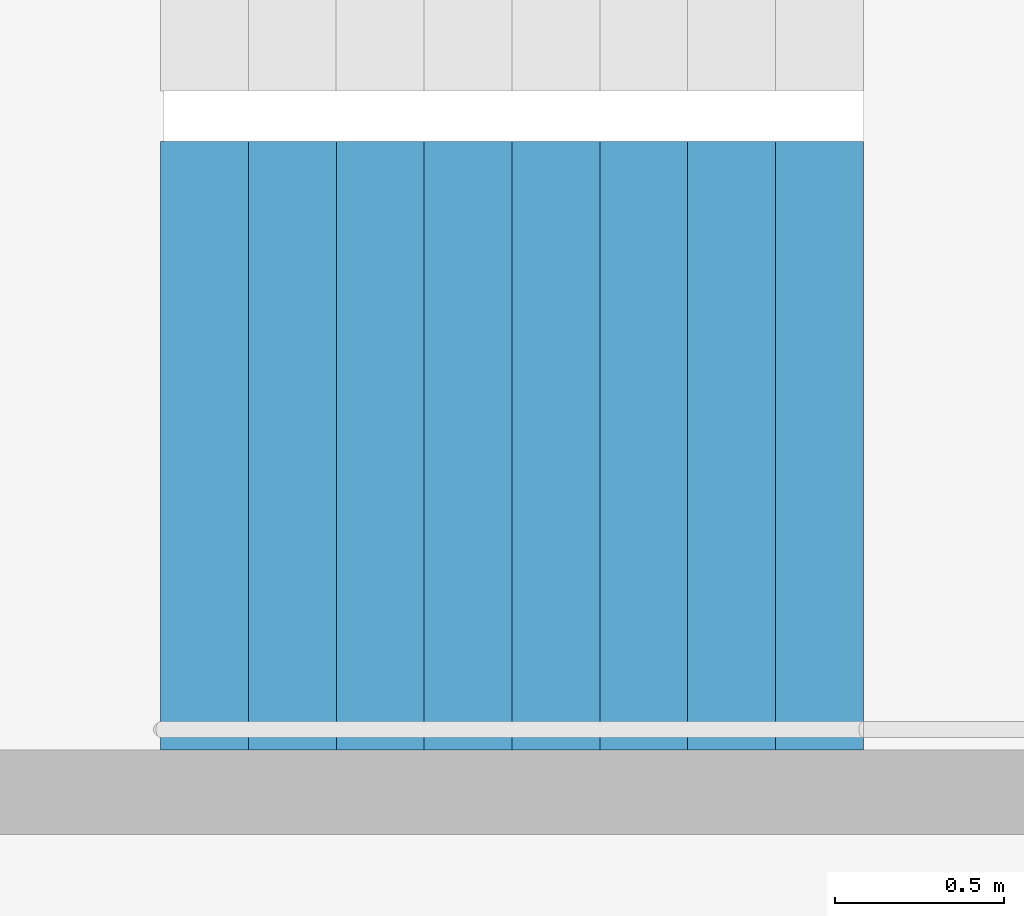
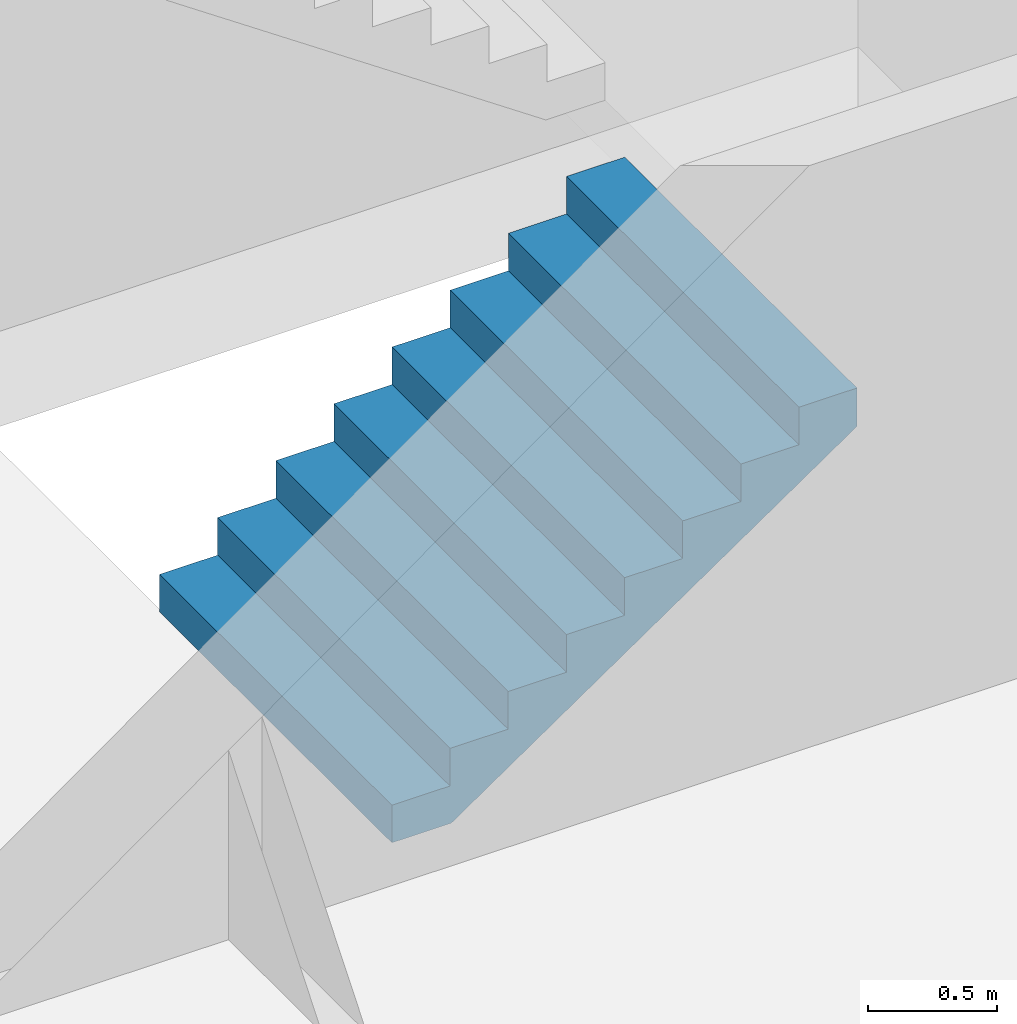
# One storey, part 20 of 26: 1 stair flight, 1 element without a shape of its own.
"""IFC4 building model written with IfcOpenShell, lengths in metres."""

from ifc_helpers import new_model, si_unit, direction, frame, origin, place, context, subcontext, project, spatial, triangles, material, type_object, element, aggregate, save


model = new_model("IFC4")

# Units and contexts
model_context = context("Model", 3, precision=1e-05, world=origin(), true_north=direction((0.0, 1.0)))
body_context = subcontext(model_context, "Body", "Model", "MODEL_VIEW")
ifc_project = project(units=[si_unit("LENGTHUNIT", "METRE"), si_unit("AREAUNIT", "SQUARE_METRE"), si_unit("VOLUMEUNIT", "CUBIC_METRE"), si_unit("PLANEANGLEUNIT", "RADIAN"), si_unit("MASSUNIT", "GRAM", prefix="KILO")], contexts=[model_context])

# Site, building, storey
site_placement = place(None, origin())
site = spatial("IfcSite", under=ifc_project, at=site_placement, CompositionType="ELEMENT")
building_placement = place(site_placement, origin())
building = spatial("IfcBuilding", under=site, at=building_placement, Name="Hakoniwa Tower and Hamabe Station Hall", CompositionType="ELEMENT")
storey_placement = place(building_placement, frame((0.0, 0.0, 143.800048828125)))
storey = spatial("IfcBuildingStorey", under=building, at=storey_placement, Name="L40", CompositionType="ELEMENT", Elevation=143.800048828125)

# Stair, stair flight
ifc_material_1 = material(Name="Concrete C40", Category="concrete")
stair_type = type_object("IfcStairType", Name="ESCAPE STAIR 1800", PredefinedType="HALF_TURN_STAIR", material=ifc_material_1)
stair_placement = place(storey_placement, origin())
stair = element("IfcStair", 1, at=stair_placement, inside=storey, type_object=stair_type, Name="Escape stair ST-1 L40", PredefinedType="HALF_TURN_STAIR")
ifc_material_2 = material(Name="Concrete C40", Category="concrete")
stair_flight_type = type_object("IfcStairFlightType", Name="STAIR FLIGHT 1800", PredefinedType="STRAIGHT", material=ifc_material_2)
stair_flight_placement = place(storey_placement, frame((-24.39990234375, 4.64990234375, 0.0), z_axis=(0.0, 0.0, 1.0), x_axis=(1.0, 0.0, 0.0)))
stair_flight = element("IfcStairFlight", 2, at=stair_flight_placement, type_object=stair_flight_type, Name="ST-1 flight 1", NumberOfRisers=9, NumberOfTreads=8, PredefinedType="STRAIGHT", RiserHeight=0.177777778, TreadLength=0.26, context=body_context, shape_type="Tessellation", body=[
    triangles([(0.0, 0.89990234375, 0.0), (0.260009765625, 0.89990234375, 0.0), (0.265625, 0.89990234375, 0.0), (0.52001953125, 0.89990234375, 0.174072265625), (0.780029296875, 0.89990234375, 0.351806640625), (1.0400390625, 0.89990234375, 0.529541015625), (1.300048828125, 0.89990234375, 0.707275390625), (1.56005859375, 0.89990234375, 0.885009765625), (1.820068359375, 0.89990234375, 1.062744140625), (2.080078125, 0.89990234375, 1.24072265625), (2.080078125, 0.89990234375, 1.422119140625), (1.820068359375, 0.89990234375, 1.422119140625), (1.820068359375, 0.89990234375, 1.244384765625), (1.56005859375, 0.89990234375, 1.244384765625), (1.56005859375, 0.89990234375, 1.066650390625), (1.300048828125, 0.89990234375, 1.066650390625), (1.300048828125, 0.89990234375, 0.888916015625), (1.0400390625, 0.89990234375, 0.888916015625), (1.0400390625, 0.89990234375, 0.711181640625), (0.780029296875, 0.89990234375, 0.711181640625), (0.780029296875, 0.89990234375, 0.533447265625), (0.52001953125, 0.89990234375, 0.533447265625), (0.52001953125, 0.89990234375, 0.35546875), (0.265625, 0.89990234375, 0.35546875), (0.260009765625, 0.89990234375, 0.35546875), (0.260009765625, 0.89990234375, 0.177734375), (0.0, 0.89990234375, 0.177734375), (0.0, 0.06005859375, 0.0), (0.260009765625, 0.06005859375, 0.0), (0.265625, 0.06005859375, 0.0), (0.52001953125, 0.06005859375, 0.174072265625), (0.780029296875, 0.06005859375, 0.351806640625), (1.0400390625, 0.06005859375, 0.529541015625), (1.300048828125, 0.06005859375, 0.707275390625), (1.56005859375, 0.06005859375, 0.885009765625), (1.820068359375, 0.06005859375, 1.062744140625), (2.080078125, 0.06005859375, 1.24072265625), (2.080078125, 0.06005859375, 1.422119140625), (1.820068359375, 0.06005859375, 1.422119140625), (1.820068359375, 0.06005859375, 1.244384765625), (1.56005859375, 0.06005859375, 1.244384765625), (1.56005859375, 0.06005859375, 1.066650390625), (1.300048828125, 0.06005859375, 1.066650390625), (1.300048828125, 0.06005859375, 0.888916015625), (1.0400390625, 0.06005859375, 0.888916015625), (1.0400390625, 0.06005859375, 0.711181640625), (0.780029296875, 0.06005859375, 0.711181640625), (0.780029296875, 0.06005859375, 0.533447265625), (0.52001953125, 0.06005859375, 0.533447265625), (0.52001953125, 0.06005859375, 0.35546875), (0.265625, 0.06005859375, 0.35546875), (0.260009765625, 0.06005859375, 0.35546875), (0.260009765625, 0.06005859375, 0.177734375), (0.0, 0.06005859375, 0.177734375), (0.0, 0.04296875, 0.0), (0.260009765625, 0.04296875, 0.0), (0.265625, 0.04296875, 0.0), (0.52001953125, 0.04296875, 0.174072265625), (0.780029296875, 0.04296875, 0.351806640625), (1.0400390625, 0.04296875, 0.529541015625), (1.300048828125, 0.04296875, 0.707275390625), (1.56005859375, 0.04296875, 0.885009765625), (1.820068359375, 0.04296875, 1.062744140625), (2.080078125, 0.04296875, 1.24072265625), (2.080078125, 0.04296875, 1.422119140625), (1.820068359375, 0.04296875, 1.422119140625), (1.820068359375, 0.04296875, 1.244384765625), (1.56005859375, 0.04296875, 1.244384765625), (1.56005859375, 0.04296875, 1.066650390625), (1.300048828125, 0.04296875, 1.066650390625), (1.300048828125, 0.04296875, 0.888916015625), (1.0400390625, 0.04296875, 0.888916015625), (1.0400390625, 0.04296875, 0.711181640625), (0.780029296875, 0.04296875, 0.711181640625), (0.780029296875, 0.04296875, 0.533447265625), (0.52001953125, 0.04296875, 0.533447265625), (0.52001953125, 0.04296875, 0.35546875), (0.265625, 0.04296875, 0.35546875), (0.260009765625, 0.04296875, 0.35546875), (0.260009765625, 0.04296875, 0.177734375), (0.0, 0.04296875, 0.177734375), (0.0, 0.025634765625, 0.0), (0.260009765625, 0.025634765625, 0.0), (0.265625, 0.025634765625, 0.0), (0.52001953125, 0.025634765625, 0.174072265625), (0.780029296875, 0.025634765625, 0.351806640625), (1.0400390625, 0.025634765625, 0.529541015625), (1.300048828125, 0.025634765625, 0.707275390625), (1.56005859375, 0.025634765625, 0.885009765625), (1.820068359375, 0.025634765625, 1.062744140625), (2.080078125, 0.025634765625, 1.24072265625), (2.080078125, 0.025634765625, 1.422119140625), (1.820068359375, 0.025634765625, 1.422119140625), (1.820068359375, 0.025634765625, 1.244384765625), (1.56005859375, 0.025634765625, 1.244384765625), (1.56005859375, 0.025634765625, 1.066650390625), (1.300048828125, 0.025634765625, 1.066650390625), (1.300048828125, 0.025634765625, 0.888916015625), (1.0400390625, 0.025634765625, 0.888916015625), (1.0400390625, 0.025634765625, 0.711181640625), (0.780029296875, 0.025634765625, 0.711181640625), (0.780029296875, 0.025634765625, 0.533447265625), (0.52001953125, 0.025634765625, 0.533447265625), (0.52001953125, 0.025634765625, 0.35546875), (0.265625, 0.025634765625, 0.35546875), (0.260009765625, 0.025634765625, 0.35546875), (0.260009765625, 0.025634765625, 0.177734375), (0.0, 0.025634765625, 0.177734375), (0.0, 0.008544921875, 0.0), (0.260009765625, 0.008544921875, 0.0), (0.265625, 0.008544921875, 0.0), (0.52001953125, 0.008544921875, 0.174072265625), (0.780029296875, 0.008544921875, 0.351806640625), (1.0400390625, 0.008544921875, 0.529541015625), (1.300048828125, 0.008544921875, 0.707275390625), (1.56005859375, 0.008544921875, 0.885009765625), (1.820068359375, 0.008544921875, 1.062744140625), (2.080078125, 0.008544921875, 1.24072265625), (2.080078125, 0.008544921875, 1.422119140625), (1.820068359375, 0.008544921875, 1.422119140625), (1.820068359375, 0.008544921875, 1.244384765625), (1.56005859375, 0.008544921875, 1.244384765625), (1.56005859375, 0.008544921875, 1.066650390625), (1.300048828125, 0.008544921875, 1.066650390625), (1.300048828125, 0.008544921875, 0.888916015625), (1.0400390625, 0.008544921875, 0.888916015625), (1.0400390625, 0.008544921875, 0.711181640625), (0.780029296875, 0.008544921875, 0.711181640625), (0.780029296875, 0.008544921875, 0.533447265625), (0.52001953125, 0.008544921875, 0.533447265625), (0.52001953125, 0.008544921875, 0.35546875), (0.265625, 0.008544921875, 0.35546875), (0.260009765625, 0.008544921875, 0.35546875), (0.260009765625, 0.008544921875, 0.177734375), (0.0, 0.008544921875, 0.177734375), (0.0, -0.008544921875, 0.0), (0.260009765625, -0.008544921875, 0.0), (0.265625, -0.008544921875, 0.0), (0.52001953125, -0.008544921875, 0.174072265625), (0.780029296875, -0.008544921875, 0.351806640625), (1.0400390625, -0.008544921875, 0.529541015625), (1.300048828125, -0.008544921875, 0.707275390625), (1.56005859375, -0.008544921875, 0.885009765625), (1.820068359375, -0.008544921875, 1.062744140625), (2.080078125, -0.008544921875, 1.24072265625), (2.080078125, -0.008544921875, 1.422119140625), (1.820068359375, -0.008544921875, 1.422119140625), (1.820068359375, -0.008544921875, 1.244384765625), (1.56005859375, -0.008544921875, 1.244384765625), (1.56005859375, -0.008544921875, 1.066650390625), (1.300048828125, -0.008544921875, 1.066650390625), (1.300048828125, -0.008544921875, 0.888916015625), (1.0400390625, -0.008544921875, 0.888916015625), (1.0400390625, -0.008544921875, 0.711181640625), (0.780029296875, -0.008544921875, 0.711181640625), (0.780029296875, -0.008544921875, 0.533447265625), (0.52001953125, -0.008544921875, 0.533447265625), (0.52001953125, -0.008544921875, 0.35546875), (0.265625, -0.008544921875, 0.35546875), (0.260009765625, -0.008544921875, 0.35546875), (0.260009765625, -0.008544921875, 0.177734375), (0.0, -0.008544921875, 0.177734375), (0.0, -0.025634765625, 0.0), (0.260009765625, -0.025634765625, 0.0), (0.265625, -0.025634765625, 0.0), (0.52001953125, -0.025634765625, 0.174072265625), (0.780029296875, -0.025634765625, 0.351806640625), (1.0400390625, -0.025634765625, 0.529541015625), (1.300048828125, -0.025634765625, 0.707275390625), (1.56005859375, -0.025634765625, 0.885009765625), (1.820068359375, -0.025634765625, 1.062744140625), (2.080078125, -0.025634765625, 1.24072265625), (2.080078125, -0.025634765625, 1.422119140625), (1.820068359375, -0.025634765625, 1.422119140625), (1.820068359375, -0.025634765625, 1.244384765625), (1.56005859375, -0.025634765625, 1.244384765625), (1.56005859375, -0.025634765625, 1.066650390625), (1.300048828125, -0.025634765625, 1.066650390625), (1.300048828125, -0.025634765625, 0.888916015625), (1.0400390625, -0.025634765625, 0.888916015625), (1.0400390625, -0.025634765625, 0.711181640625), (0.780029296875, -0.025634765625, 0.711181640625), (0.780029296875, -0.025634765625, 0.533447265625), (0.52001953125, -0.025634765625, 0.533447265625), (0.52001953125, -0.025634765625, 0.35546875), (0.265625, -0.025634765625, 0.35546875), (0.260009765625, -0.025634765625, 0.35546875), (0.260009765625, -0.025634765625, 0.177734375), (0.0, -0.025634765625, 0.177734375), (0.0, -0.04296875, 0.0), (0.260009765625, -0.04296875, 0.0), (0.265625, -0.04296875, 0.0), (0.52001953125, -0.04296875, 0.174072265625), (0.780029296875, -0.04296875, 0.351806640625), (1.0400390625, -0.04296875, 0.529541015625), (1.300048828125, -0.04296875, 0.707275390625), (1.56005859375, -0.04296875, 0.885009765625), (1.820068359375, -0.04296875, 1.062744140625), (2.080078125, -0.04296875, 1.24072265625), (2.080078125, -0.04296875, 1.422119140625), (1.820068359375, -0.04296875, 1.422119140625), (1.820068359375, -0.04296875, 1.244384765625), (1.56005859375, -0.04296875, 1.244384765625), (1.56005859375, -0.04296875, 1.066650390625), (1.300048828125, -0.04296875, 1.066650390625), (1.300048828125, -0.04296875, 0.888916015625), (1.0400390625, -0.04296875, 0.888916015625), (1.0400390625, -0.04296875, 0.711181640625), (0.780029296875, -0.04296875, 0.711181640625), (0.780029296875, -0.04296875, 0.533447265625), (0.52001953125, -0.04296875, 0.533447265625), (0.52001953125, -0.04296875, 0.35546875), (0.265625, -0.04296875, 0.35546875), (0.260009765625, -0.04296875, 0.35546875), (0.260009765625, -0.04296875, 0.177734375), (0.0, -0.04296875, 0.177734375), (0.0, -0.06005859375, 0.0), (0.260009765625, -0.06005859375, 0.0), (0.265625, -0.06005859375, 0.0), (0.52001953125, -0.06005859375, 0.174072265625), (0.780029296875, -0.06005859375, 0.351806640625), (1.0400390625, -0.06005859375, 0.529541015625), (1.300048828125, -0.06005859375, 0.707275390625), (1.56005859375, -0.06005859375, 0.885009765625), (1.820068359375, -0.06005859375, 1.062744140625), (2.080078125, -0.06005859375, 1.24072265625), (2.080078125, -0.06005859375, 1.422119140625), (1.820068359375, -0.06005859375, 1.422119140625), (1.820068359375, -0.06005859375, 1.244384765625), (1.56005859375, -0.06005859375, 1.244384765625), (1.56005859375, -0.06005859375, 1.066650390625), (1.300048828125, -0.06005859375, 1.066650390625), (1.300048828125, -0.06005859375, 0.888916015625), (1.0400390625, -0.06005859375, 0.888916015625), (1.0400390625, -0.06005859375, 0.711181640625), (0.780029296875, -0.06005859375, 0.711181640625), (0.780029296875, -0.06005859375, 0.533447265625), (0.52001953125, -0.06005859375, 0.533447265625), (0.52001953125, -0.06005859375, 0.35546875), (0.265625, -0.06005859375, 0.35546875), (0.260009765625, -0.06005859375, 0.35546875), (0.260009765625, -0.06005859375, 0.177734375), (0.0, -0.06005859375, 0.177734375), (0.0, -0.89990234375, 0.0), (0.260009765625, -0.89990234375, 0.0), (0.265625, -0.89990234375, 0.0), (0.52001953125, -0.89990234375, 0.174072265625), (0.780029296875, -0.89990234375, 0.351806640625), (1.0400390625, -0.89990234375, 0.529541015625), (1.300048828125, -0.89990234375, 0.707275390625), (1.56005859375, -0.89990234375, 0.885009765625), (1.820068359375, -0.89990234375, 1.062744140625), (2.080078125, -0.89990234375, 1.24072265625), (2.080078125, -0.89990234375, 1.422119140625), (1.820068359375, -0.89990234375, 1.422119140625), (1.820068359375, -0.89990234375, 1.244384765625), (1.56005859375, -0.89990234375, 1.244384765625), (1.56005859375, -0.89990234375, 1.066650390625), (1.300048828125, -0.89990234375, 1.066650390625), (1.300048828125, -0.89990234375, 0.888916015625), (1.0400390625, -0.89990234375, 0.888916015625), (1.0400390625, -0.89990234375, 0.711181640625), (0.780029296875, -0.89990234375, 0.711181640625), (0.780029296875, -0.89990234375, 0.533447265625), (0.52001953125, -0.89990234375, 0.533447265625), (0.52001953125, -0.89990234375, 0.35546875), (0.265625, -0.89990234375, 0.35546875), (0.260009765625, -0.89990234375, 0.35546875), (0.260009765625, -0.89990234375, 0.177734375), (0.0, -0.89990234375, 0.177734375)], [[2, 27, 26], [245, 269, 270], [2, 1, 27], [245, 270, 244], [3, 25, 24], [246, 267, 268], [3, 26, 25], [246, 268, 269], [3, 2, 26], [246, 269, 245], [4, 24, 23], [247, 266, 267], [4, 3, 24], [247, 267, 246], [5, 22, 21], [248, 264, 265], [5, 23, 22], [248, 265, 266], [5, 4, 23], [248, 266, 247], [6, 20, 19], [249, 262, 263], [6, 21, 20], [249, 263, 264], [6, 5, 21], [249, 264, 248], [7, 18, 17], [250, 260, 261], [7, 19, 18], [250, 261, 262], [7, 6, 19], [250, 262, 249], [8, 16, 15], [251, 258, 259], [8, 17, 16], [251, 259, 260], [8, 7, 17], [251, 260, 250], [9, 14, 13], [252, 256, 257], [9, 15, 14], [252, 257, 258], [9, 8, 15], [252, 258, 251], [10, 12, 11], [253, 254, 255], [10, 13, 12], [253, 255, 256], [10, 9, 13], [253, 256, 252], [1, 2, 29], [1, 29, 28], [28, 29, 56], [28, 56, 55], [55, 56, 83], [55, 83, 82], [82, 83, 110], [82, 110, 109], [109, 110, 137], [109, 137, 136], [136, 137, 164], [136, 164, 163], [163, 164, 191], [163, 191, 190], [190, 191, 218], [190, 218, 217], [217, 218, 245], [217, 245, 244], [2, 3, 30], [2, 30, 29], [29, 30, 57], [29, 57, 56], [56, 57, 84], [56, 84, 83], [83, 84, 111], [83, 111, 110], [110, 111, 138], [110, 138, 137], [137, 138, 165], [137, 165, 164], [164, 165, 192], [164, 192, 191], [191, 192, 219], [191, 219, 218], [218, 219, 246], [218, 246, 245], [3, 4, 31], [3, 31, 30], [30, 31, 58], [30, 58, 57], [57, 58, 85], [57, 85, 84], [84, 85, 112], [84, 112, 111], [111, 112, 139], [111, 139, 138], [138, 139, 166], [138, 166, 165], [165, 166, 193], [165, 193, 192], [192, 193, 220], [192, 220, 219], [219, 220, 247], [219, 247, 246], [4, 5, 32], [4, 32, 31], [31, 32, 59], [31, 59, 58], [58, 59, 86], [58, 86, 85], [85, 86, 113], [85, 113, 112], [112, 113, 140], [112, 140, 139], [139, 140, 167], [139, 167, 166], [166, 167, 194], [166, 194, 193], [193, 194, 221], [193, 221, 220], [220, 221, 248], [220, 248, 247], [5, 6, 33], [5, 33, 32], [32, 33, 60], [32, 60, 59], [59, 60, 87], [59, 87, 86], [86, 87, 114], [86, 114, 113], [113, 114, 141], [113, 141, 140], [140, 141, 168], [140, 168, 167], [167, 168, 195], [167, 195, 194], [194, 195, 222], [194, 222, 221], [221, 222, 249], [221, 249, 248], [6, 7, 34], [6, 34, 33], [33, 34, 61], [33, 61, 60], [60, 61, 88], [60, 88, 87], [87, 88, 115], [87, 115, 114], [114, 115, 142], [114, 142, 141], [141, 142, 169], [141, 169, 168], [168, 169, 196], [168, 196, 195], [195, 196, 223], [195, 223, 222], [222, 223, 250], [222, 250, 249], [7, 8, 35], [7, 35, 34], [34, 35, 62], [34, 62, 61], [61, 62, 89], [61, 89, 88], [88, 89, 116], [88, 116, 115], [115, 116, 143], [115, 143, 142], [142, 143, 170], [142, 170, 169], [169, 170, 197], [169, 197, 196], [196, 197, 224], [196, 224, 223], [223, 224, 251], [223, 251, 250], [8, 9, 36], [8, 36, 35], [35, 36, 63], [35, 63, 62], [62, 63, 90], [62, 90, 89], [89, 90, 117], [89, 117, 116], [116, 117, 144], [116, 144, 143], [143, 144, 171], [143, 171, 170], [170, 171, 198], [170, 198, 197], [197, 198, 225], [197, 225, 224], [224, 225, 252], [224, 252, 251], [9, 10, 37], [9, 37, 36], [36, 37, 64], [36, 64, 63], [63, 64, 91], [63, 91, 90], [90, 91, 118], [90, 118, 117], [117, 118, 145], [117, 145, 144], [144, 145, 172], [144, 172, 171], [171, 172, 199], [171, 199, 198], [198, 199, 226], [198, 226, 225], [225, 226, 253], [225, 253, 252], [10, 11, 38], [10, 38, 37], [37, 38, 65], [37, 65, 64], [64, 65, 92], [64, 92, 91], [91, 92, 119], [91, 119, 118], [118, 119, 146], [118, 146, 145], [145, 146, 173], [145, 173, 172], [172, 173, 200], [172, 200, 199], [199, 200, 227], [199, 227, 226], [226, 227, 254], [226, 254, 253], [11, 12, 39], [11, 39, 38], [38, 39, 66], [38, 66, 65], [65, 66, 93], [65, 93, 92], [92, 93, 120], [92, 120, 119], [119, 120, 147], [119, 147, 146], [146, 147, 174], [146, 174, 173], [173, 174, 201], [173, 201, 200], [200, 201, 228], [200, 228, 227], [227, 228, 255], [227, 255, 254], [12, 13, 40], [12, 40, 39], [39, 40, 67], [39, 67, 66], [66, 67, 94], [66, 94, 93], [93, 94, 121], [93, 121, 120], [120, 121, 148], [120, 148, 147], [147, 148, 175], [147, 175, 174], [174, 175, 202], [174, 202, 201], [201, 202, 229], [201, 229, 228], [228, 229, 256], [228, 256, 255], [13, 14, 41], [13, 41, 40], [40, 41, 68], [40, 68, 67], [67, 68, 95], [67, 95, 94], [94, 95, 122], [94, 122, 121], [121, 122, 149], [121, 149, 148], [148, 149, 176], [148, 176, 175], [175, 176, 203], [175, 203, 202], [202, 203, 230], [202, 230, 229], [229, 230, 257], [229, 257, 256], [14, 15, 42], [14, 42, 41], [41, 42, 69], [41, 69, 68], [68, 69, 96], [68, 96, 95], [95, 96, 123], [95, 123, 122], [122, 123, 150], [122, 150, 149], [149, 150, 177], [149, 177, 176], [176, 177, 204], [176, 204, 203], [203, 204, 231], [203, 231, 230], [230, 231, 258], [230, 258, 257], [15, 16, 43], [15, 43, 42], [42, 43, 70], [42, 70, 69], [69, 70, 97], [69, 97, 96], [96, 97, 124], [96, 124, 123], [123, 124, 151], [123, 151, 150], [150, 151, 178], [150, 178, 177], [177, 178, 205], [177, 205, 204], [204, 205, 232], [204, 232, 231], [231, 232, 259], [231, 259, 258], [16, 17, 44], [16, 44, 43], [43, 44, 71], [43, 71, 70], [70, 71, 98], [70, 98, 97], [97, 98, 125], [97, 125, 124], [124, 125, 152], [124, 152, 151], [151, 152, 179], [151, 179, 178], [178, 179, 206], [178, 206, 205], [205, 206, 233], [205, 233, 232], [232, 233, 260], [232, 260, 259], [17, 18, 45], [17, 45, 44], [44, 45, 72], [44, 72, 71], [71, 72, 99], [71, 99, 98], [98, 99, 126], [98, 126, 125], [125, 126, 153], [125, 153, 152], [152, 153, 180], [152, 180, 179], [179, 180, 207], [179, 207, 206], [206, 207, 234], [206, 234, 233], [233, 234, 261], [233, 261, 260], [18, 19, 46], [18, 46, 45], [45, 46, 73], [45, 73, 72], [72, 73, 100], [72, 100, 99], [99, 100, 127], [99, 127, 126], [126, 127, 154], [126, 154, 153], [153, 154, 181], [153, 181, 180], [180, 181, 208], [180, 208, 207], [207, 208, 235], [207, 235, 234], [234, 235, 262], [234, 262, 261], [19, 20, 47], [19, 47, 46], [46, 47, 74], [46, 74, 73], [73, 74, 101], [73, 101, 100], [100, 101, 128], [100, 128, 127], [127, 128, 155], [127, 155, 154], [154, 155, 182], [154, 182, 181], [181, 182, 209], [181, 209, 208], [208, 209, 236], [208, 236, 235], [235, 236, 263], [235, 263, 262], [20, 21, 48], [20, 48, 47], [47, 48, 75], [47, 75, 74], [74, 75, 102], [74, 102, 101], [101, 102, 129], [101, 129, 128], [128, 129, 156], [128, 156, 155], [155, 156, 183], [155, 183, 182], [182, 183, 210], [182, 210, 209], [209, 210, 237], [209, 237, 236], [236, 237, 264], [236, 264, 263], [21, 22, 49], [21, 49, 48], [48, 49, 76], [48, 76, 75], [75, 76, 103], [75, 103, 102], [102, 103, 130], [102, 130, 129], [129, 130, 157], [129, 157, 156], [156, 157, 184], [156, 184, 183], [183, 184, 211], [183, 211, 210], [210, 211, 238], [210, 238, 237], [237, 238, 265], [237, 265, 264], [22, 23, 50], [22, 50, 49], [49, 50, 77], [49, 77, 76], [76, 77, 104], [76, 104, 103], [103, 104, 131], [103, 131, 130], [130, 131, 158], [130, 158, 157], [157, 158, 185], [157, 185, 184], [184, 185, 212], [184, 212, 211], [211, 212, 239], [211, 239, 238], [238, 239, 266], [238, 266, 265], [23, 24, 51], [23, 51, 50], [50, 51, 78], [50, 78, 77], [77, 78, 105], [77, 105, 104], [104, 105, 132], [104, 132, 131], [131, 132, 159], [131, 159, 158], [158, 159, 186], [158, 186, 185], [185, 186, 213], [185, 213, 212], [212, 213, 240], [212, 240, 239], [239, 240, 267], [239, 267, 266], [24, 25, 52], [24, 52, 51], [51, 52, 79], [51, 79, 78], [78, 79, 106], [78, 106, 105], [105, 106, 133], [105, 133, 132], [132, 133, 160], [132, 160, 159], [159, 160, 187], [159, 187, 186], [186, 187, 214], [186, 214, 213], [213, 214, 241], [213, 241, 240], [240, 241, 268], [240, 268, 267], [25, 26, 53], [25, 53, 52], [52, 53, 80], [52, 80, 79], [79, 80, 107], [79, 107, 106], [106, 107, 134], [106, 134, 133], [133, 134, 161], [133, 161, 160], [160, 161, 188], [160, 188, 187], [187, 188, 215], [187, 215, 214], [214, 215, 242], [214, 242, 241], [241, 242, 269], [241, 269, 268], [26, 27, 54], [26, 54, 53], [53, 54, 81], [53, 81, 80], [80, 81, 108], [80, 108, 107], [107, 108, 135], [107, 135, 134], [134, 135, 162], [134, 162, 161], [161, 162, 189], [161, 189, 188], [188, 189, 216], [188, 216, 215], [215, 216, 243], [215, 243, 242], [242, 243, 270], [242, 270, 269], [27, 1, 28], [27, 28, 54], [54, 28, 55], [54, 55, 81], [81, 55, 82], [81, 82, 108], [108, 82, 109], [108, 109, 135], [135, 109, 136], [135, 136, 162], [162, 136, 163], [162, 163, 189], [189, 163, 190], [189, 190, 216], [216, 190, 217], [216, 217, 243], [243, 217, 244], [243, 244, 270]], closed=True),
])
aggregate(stair, [stair_flight])

save(model, "model.ifc")
